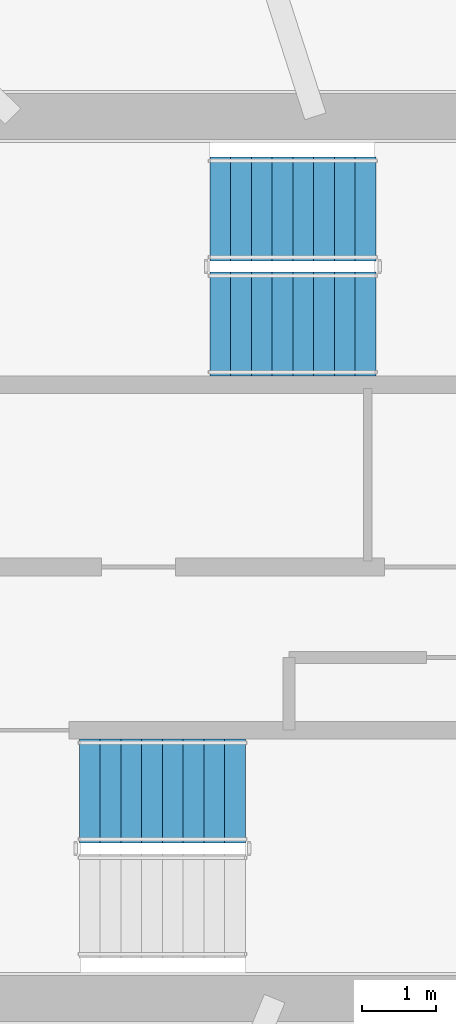
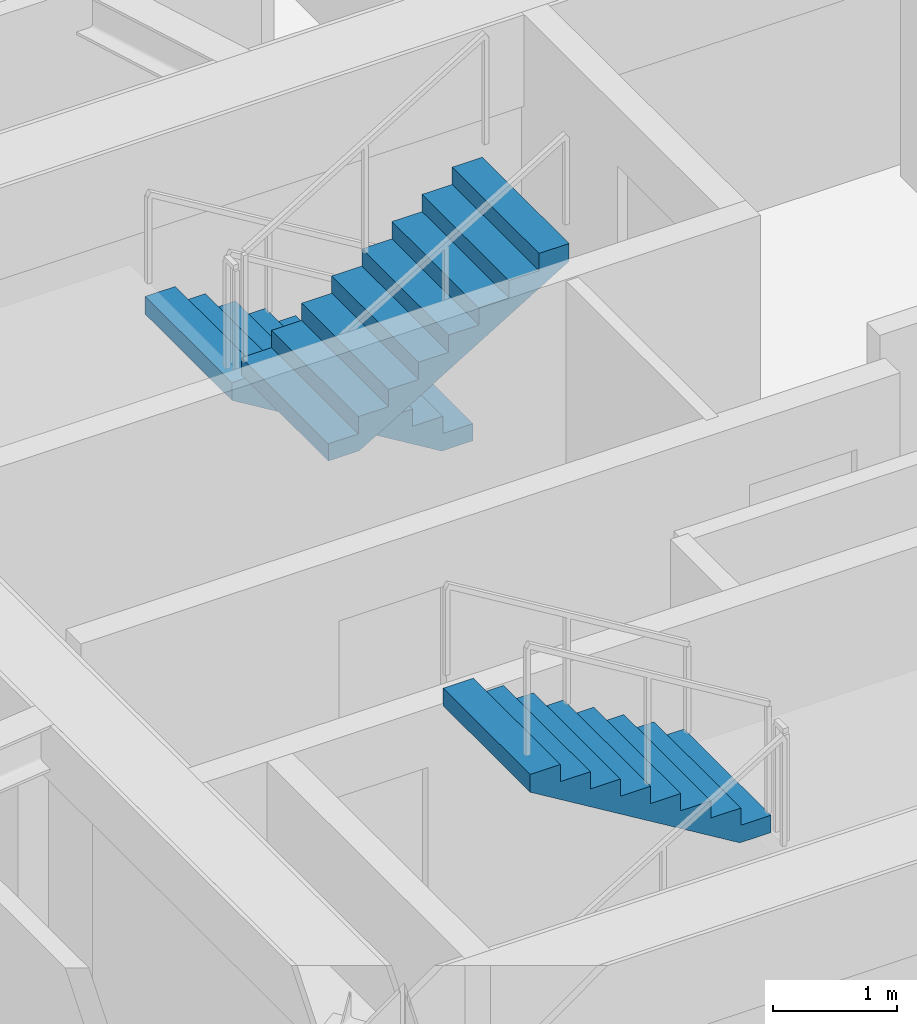
# One storey, part 17 of 22: 3 stair flights, 2 elements without a shape of their own.
"""IFC4 building model written with IfcOpenShell, lengths in metres."""

from ifc_helpers import new_model, si_unit, direction, frame, origin, place, context, subcontext, project, spatial, polyline, outline, extrude, material, type_object, element, aggregate, save


model = new_model("IFC4")

# Units and contexts
model_context = context("Model", 3, precision=1e-05, world=origin(), true_north=direction((0.0, 1.0)))
body_context = subcontext(model_context, "Body", "Model", "MODEL_VIEW")
ifc_project = project(units=[si_unit("LENGTHUNIT", "METRE"), si_unit("AREAUNIT", "SQUARE_METRE"), si_unit("VOLUMEUNIT", "CUBIC_METRE"), si_unit("PLANEANGLEUNIT", "RADIAN"), si_unit("MASSUNIT", "GRAM", prefix="KILO")], contexts=[model_context])

# Site, building, storey
site_placement = place(None, origin())
site = spatial("IfcSite", under=ifc_project, at=site_placement, CompositionType="ELEMENT")
building_placement = place(site_placement, origin())
building = spatial("IfcBuilding", under=site, at=building_placement, Name="Norrkilde Senior Care Towers", CompositionType="ELEMENT")
storey_placement = place(building_placement, frame((0.0, 0.0, 183.10009765625)))
storey = spatial("IfcBuildingStorey", under=building, at=storey_placement, Name="L57", CompositionType="ELEMENT", Elevation=183.10009765625)

# Stair, stair flights
ifc_material = material(Name="Concrete C45/55", Category="concrete")
stair_type = type_object("IfcStairType", Name="Core Protected Dogleg Stair Typical 3050", PredefinedType="HALF_TURN_STAIR", material=ifc_material)
stair_1_placement = place(storey_placement, origin())
stair_1 = element("IfcStair", 1, at=stair_1_placement, inside=storey, type_object=stair_type, Name="L57 Protected Core Stair E1", PredefinedType="HALF_TURN_STAIR")
stair_flight_type = type_object("IfcStairFlightType", Name="Core Protected Dogleg Stair Typical 3050 Flight", PredefinedType="STRAIGHT", material=ifc_material)
stair_flight_1_placement = place(storey_placement, frame((26.89990234375, 4.699951171875, 0.0), z_axis=(0.0, 0.0, 1.0), x_axis=(-1.0, 0.0, 0.0)))
stair_flight_1 = element("IfcStairFlight", 2, at=stair_flight_1_placement, type_object=stair_flight_type, Name="ST-E1 flight 1", NumberOfRisers=9, NumberOfTreads=8, PredefinedType="STRAIGHT", RiserHeight=0.169444444, TreadLength=0.28, context=body_context, shape_type="SweptSolid", body=[
    extrude(outline(polyline([(0.0, 0.0), (0.0, 0.16943359375), (0.280029296875, 0.16943359375), (0.280029296875, 0.3388671875), (0.56005859375, 0.3388671875), (0.56005859375, 0.50830078125), (0.840087890625, 0.50830078125), (0.840087890625, 0.677734375), (1.1201171875, 0.677734375), (1.1201171875, 0.84716796875), (1.39990234375, 0.84716796875), (1.39990234375, 1.0166015625), (1.679931640625, 1.0166015625), (1.679931640625, 1.18603515625), (1.9599609375, 1.18603515625), (1.9599609375, 1.35546875), (2.239990234375, 1.35546875), (2.239990234375, 1.52490234375), (2.239990234375, 1.180419921875), (0.28955078125, 0.0), (0.0, 0.0)])), frame((0.0, 0.699951171875, 0.0), z_axis=(0.0, -1.0, 0.0), x_axis=(1.0, 0.0, 0.0)), (0.0, 0.0, 1.0), 1.39990234375),
])
stair_flight_2_placement = place(storey_placement, frame((24.659912109375, 3.14990234375, 1.52490234375), z_axis=(0.0, 0.0, 1.0), x_axis=(1.0, 0.0, 0.0)))
stair_flight_2 = element("IfcStairFlight", 3, at=stair_flight_2_placement, type_object=stair_flight_type, Name="ST-E1 flight 2", NumberOfRisers=9, NumberOfTreads=8, PredefinedType="STRAIGHT", RiserHeight=0.169444444, TreadLength=0.28, context=body_context, shape_type="SweptSolid", body=[
    extrude(outline(polyline([(0.0, 0.0), (0.0, 0.16943359375), (0.280029296875, 0.16943359375), (0.280029296875, 0.3388671875), (0.56005859375, 0.3388671875), (0.56005859375, 0.50830078125), (0.840087890625, 0.50830078125), (0.840087890625, 0.677734375), (1.1201171875, 0.677734375), (1.1201171875, 0.84716796875), (1.39990234375, 0.84716796875), (1.39990234375, 1.0166015625), (1.679931640625, 1.0166015625), (1.679931640625, 1.18603515625), (1.9599609375, 1.18603515625), (1.9599609375, 1.35546875), (2.239990234375, 1.35546875), (2.239990234375, 1.52490234375), (2.239990234375, 1.180419921875), (0.28955078125, 0.0), (0.0, 0.0)])), frame((0.0, 0.699951171875, 0.0), z_axis=(0.0, -1.0, 0.0), x_axis=(1.0, 0.0, 0.0)), (0.0, 0.0, 1.0), 1.39990234375),
])
aggregate(stair_1, [stair_flight_1, stair_flight_2])

# Stair, stair flight
stair_2_placement = place(storey_placement, origin())
stair_2 = element("IfcStair", 4, at=stair_2_placement, inside=storey, type_object=stair_type, Name="L57 Protected Core Stair E2", PredefinedType="HALF_TURN_STAIR")
stair_flight_3_placement = place(storey_placement, frame((25.139892578125, -3.14990234375, 1.52490234375), z_axis=(0.0, 0.0, 1.0), x_axis=(-1.0, 0.0, 0.0)))
stair_flight_3 = element("IfcStairFlight", 5, at=stair_flight_3_placement, type_object=stair_flight_type, Name="ST-E2 flight 2", NumberOfRisers=9, NumberOfTreads=8, PredefinedType="STRAIGHT", RiserHeight=0.169444444, TreadLength=0.28, context=body_context, shape_type="SweptSolid", body=[
    extrude(outline(polyline([(0.0, 0.0), (0.0, 0.16943359375), (0.280029296875, 0.16943359375), (0.280029296875, 0.3388671875), (0.56005859375, 0.3388671875), (0.56005859375, 0.50830078125), (0.840087890625, 0.50830078125), (0.840087890625, 0.677734375), (1.1201171875, 0.677734375), (1.1201171875, 0.84716796875), (1.39990234375, 0.84716796875), (1.39990234375, 1.0166015625), (1.679931640625, 1.0166015625), (1.679931640625, 1.18603515625), (1.9599609375, 1.18603515625), (1.9599609375, 1.35546875), (2.239990234375, 1.35546875), (2.239990234375, 1.52490234375), (2.239990234375, 1.180419921875), (0.28955078125, 0.0), (0.0, 0.0)])), frame((0.0, 0.699951171875, 0.0), z_axis=(0.0, -1.0, 0.0), x_axis=(1.0, 0.0, 0.0)), (0.0, 0.0, 1.0), 1.39990234375),
])
aggregate(stair_2, [stair_flight_3])

save(model, "model.ifc")
